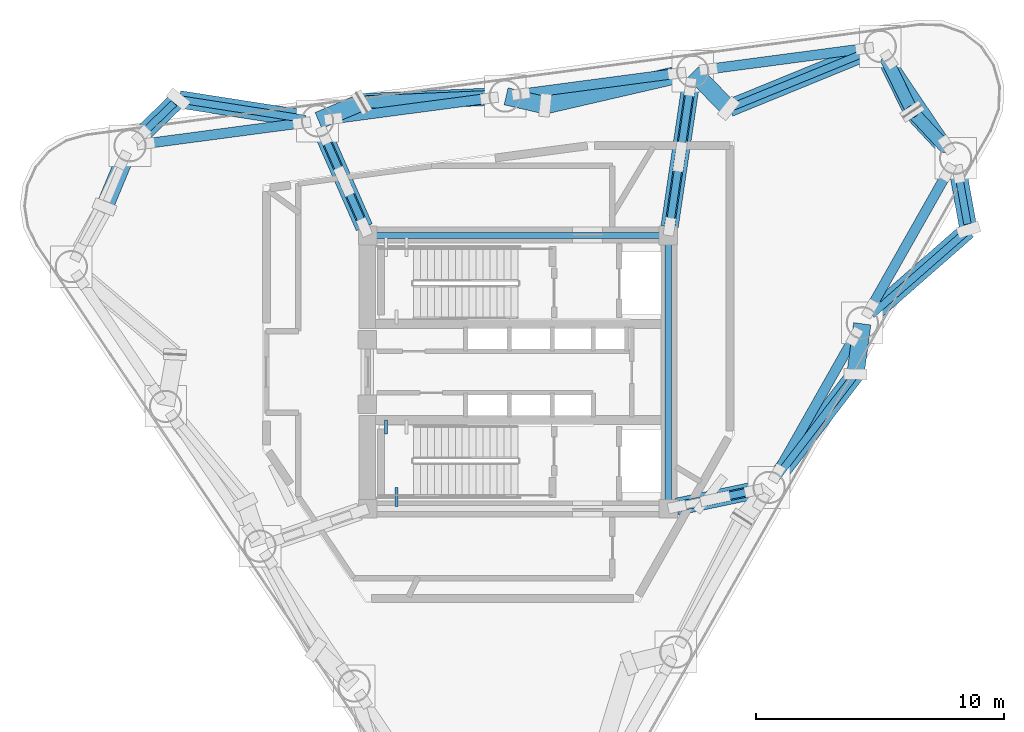
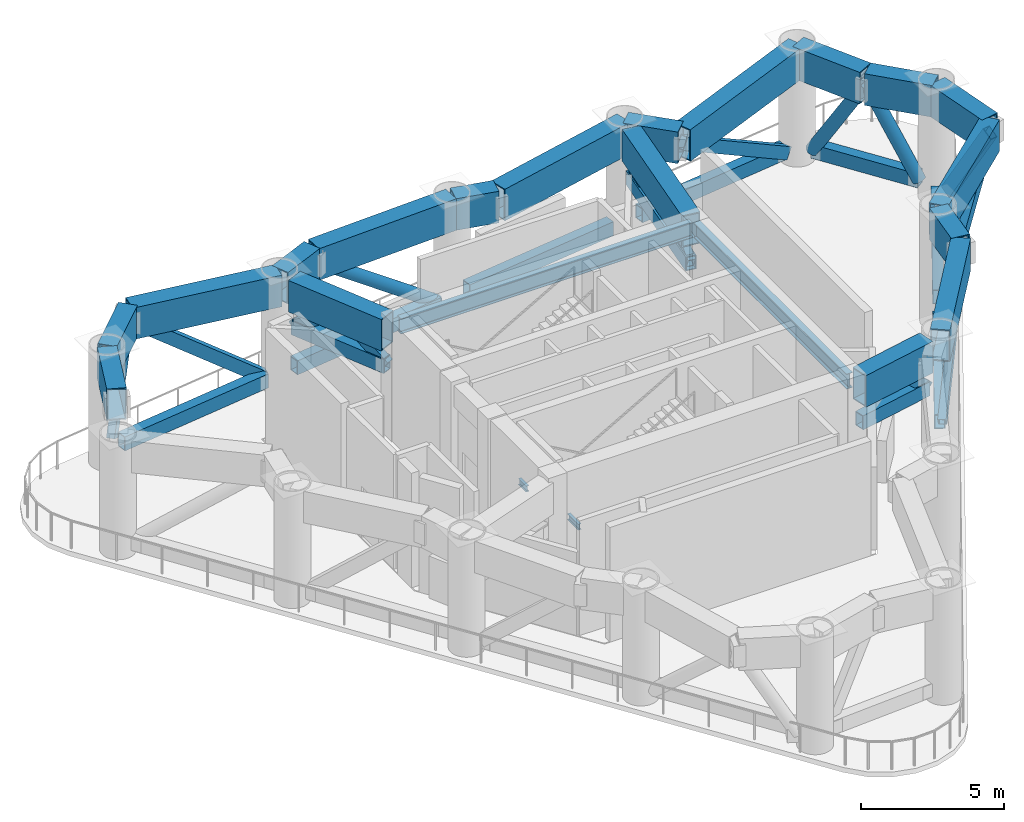
# One storey, part 2 of 10: 24 members, 22 beams.
"""IFC4 building model written with IfcOpenShell, lengths in metres."""

from ifc_helpers import new_model, si_unit, direction, frame, origin, origin_2d, place, context, subcontext, project, spatial, hollow_rectangle, hollow_circle, i_section, extrude, source, transform, mapped, material, material_profile, profile_set, type_object, element, save


model = new_model("IFC4")

# Units and contexts
model_context = context("Model", 3, precision=1e-05, world=origin(), true_north=direction((0.0, 1.0)))
body_context = subcontext(model_context, "Body", "Model", "MODEL_VIEW")
ifc_project = project(units=[si_unit("LENGTHUNIT", "METRE"), si_unit("AREAUNIT", "SQUARE_METRE"), si_unit("VOLUMEUNIT", "CUBIC_METRE"), si_unit("PLANEANGLEUNIT", "RADIAN"), si_unit("MASSUNIT", "GRAM", prefix="KILO")], contexts=[model_context])

# Site, building, storey
site_placement = place(None, origin())
site = spatial("IfcSite", under=ifc_project, at=site_placement, CompositionType="ELEMENT")
building_placement = place(site_placement, origin())
building = spatial("IfcBuilding", under=site, at=building_placement, Name="Yunling Apex Tower", CompositionType="ELEMENT")
storey_placement = place(building_placement, frame((0.0, 0.0, 186.35009765625)))
storey = spatial("IfcBuildingStorey", under=building, at=storey_placement, Name="RF5", CompositionType="ELEMENT", Elevation=186.35009765625)

# Beams
ifc_material_1 = material(Name="Steel Q355B", Category="steel")
ifc_material_profile_1 = material_profile(ifc_material_1, i_section(OverallWidth=0.125, OverallDepth=0.25, WebThickness=0.006103515625, FlangeThickness=0.009033203125, FilletRadius=0.011962890625, at=origin_2d()))
ifc_profile_set_1 = profile_set([ifc_material_profile_1], Name="Steel Q355B")
beam_type_1 = type_object("IfcBeamType", Name="BL-LNT-1", PredefinedType="LINTEL", material=ifc_profile_set_1)
shared_shape_1 = source(origin(), body_context, "Body", "SweptSolid", [
    extrude(i_section(OverallWidth=0.125, OverallDepth=0.25, WebThickness=0.006103515625, FlangeThickness=0.009033203125, FilletRadius=0.011962890625, at=origin_2d()), origin(), (0.0, 0.0, 1.0), 0.760009765625),
])
beam_1_placement = place(storey_placement, frame((-4.905029296875, -5.419921875, 2.22998046875), z_axis=(0.0, 1.0, 0.0), x_axis=(-1.0, 0.0, 0.0)))
element("IfcBeam", 1, at=beam_1_placement, inside=storey, type_object=beam_type_1, Name="RF5 ST-2 Landing Bearing Corbel 1-3", PredefinedType="LINTEL", context=body_context, shape_type="MappedRepresentation", body=[
    mapped(shared_shape_1, transform((0.0, 0.0, 0.0), scale=1.0)),
])
shared_shape_2 = source(origin(), body_context, "Body", "SweptSolid", [
    extrude(i_section(OverallWidth=0.125, OverallDepth=0.25, WebThickness=0.006103515625, FlangeThickness=0.009033203125, FilletRadius=0.011962890625, at=origin_2d()), origin(), (0.0, 0.0, 1.0), 0.550048828125),
])
beam_2_placement = place(storey_placement, frame((-5.320068359375, -1.93994140625, 2.22998046875), z_axis=(0.0, -1.0, 0.0), x_axis=(1.0, 0.0, 0.0)))
element("IfcBeam", 2, at=beam_2_placement, inside=storey, type_object=beam_type_1, Name="RF5 ST-2 Landing Bearing Corbel 1-1", PredefinedType="LINTEL", context=body_context, shape_type="MappedRepresentation", body=[
    mapped(shared_shape_2, transform((0.0, 0.0, 0.0), scale=1.0)),
])
ifc_material_profile_2 = material_profile(ifc_material_1, i_section(OverallWidth=0.25, OverallDepth=0.64990234375, WebThickness=0.011962890625, FlangeThickness=0.02001953125, FilletRadius=0.02392578125, at=origin_2d()))
ifc_profile_set_2 = profile_set([ifc_material_profile_2], Name="Steel Q355B")
beam_type_2 = type_object("IfcBeamType", Name="BG-PRI-4", PredefinedType="USERDEFINED", material=ifc_profile_set_2)
shared_shape_3 = source(origin(), body_context, "Body", "SweptSolid", [
    extrude(i_section(OverallWidth=0.25, OverallDepth=0.64990234375, WebThickness=0.011962890625, FlangeThickness=0.02001953125, FilletRadius=0.02392578125, at=origin_2d()), origin(), (0.0, 0.0, 1.0), 11.7998046875),
])
beam_3_placement = place(storey_placement, frame((5.89990234375, 5.5, 4.594970703125), z_axis=(-1.0, 0.0, 0.0), x_axis=(0.0, -1.0, 0.0)))
element("IfcBeam", 3, at=beam_3_placement, inside=storey, type_object=beam_type_2, Name="RF5 Core Ring Tie Beam 3", ObjectType="GIRDER", PredefinedType="USERDEFINED", context=body_context, shape_type="MappedRepresentation", body=[
    mapped(shared_shape_3, transform((0.0, 0.0, 0.0), scale=1.0)),
])
shared_shape_4 = source(origin(), body_context, "Body", "SweptSolid", [
    extrude(i_section(OverallWidth=0.25, OverallDepth=0.64990234375, WebThickness=0.011962890625, FlangeThickness=0.02001953125, FilletRadius=0.02392578125, at=origin_2d()), origin(), (0.0, 0.0, 1.0), 10.7001953125),
])
beam_4_placement = place(storey_placement, frame((6.050048828125, -5.35009765625, 4.594970703125), z_axis=(0.0, 1.0, 0.0), x_axis=(-1.0, 0.0, 0.0)))
element("IfcBeam", 4, at=beam_4_placement, inside=storey, type_object=beam_type_2, Name="RF5 Core Ring Tie Beam 2", ObjectType="GIRDER", PredefinedType="USERDEFINED", context=body_context, shape_type="MappedRepresentation", body=[
    mapped(shared_shape_4, transform((0.0, 0.0, 0.0), scale=1.0)),
])

# Members
ifc_material_profile_3 = material_profile(ifc_material_1, hollow_rectangle(XDim=0.39990234375, YDim=0.60009765625, WallThickness=0.030029296875, at=origin_2d()))
ifc_profile_set_3 = profile_set([ifc_material_profile_3], Name="Steel Q355B")
member_type_1 = type_object("IfcMemberType", Name="BT-CHD-2", PredefinedType="CHORD", material=ifc_profile_set_3)
shared_shape_5 = source(origin(), body_context, "Body", "SweptSolid", [
    extrude(hollow_rectangle(XDim=0.39990234375, YDim=0.60009765625, WallThickness=0.030029296875, at=origin_2d()), origin(), (0.0, 0.0, 1.0), 6.336669921875),
])
for number, where, z_axis, x_axis, name in (
    (5, (10.425537109375, -4.08935546875, 0.5498046875), (0.493044651429, 0.870004006713, 0.0), (-0.870004006713, 0.493044651429, 0.0), "RF5 Belt-Truss Bottom Chord 3"),
    (6, (14.182861328125, 2.54052734375, 0.5498046875), (0.492998962513, 0.87002989774, 0.0), (-0.87002989774, 0.492998962513, 0.0), "RF5 Belt-Truss Bottom Chord 4"),
    (7, (-1.158935546875, 11.02978515625, 0.5498046875), (-0.99135763998, -0.131187002609, 0.0), (0.131187002609, -0.99135763998, 0.0), "RF5 Belt-Truss Bottom Chord 8"),
):
    element("IfcMember", number, at=place(storey_placement, frame(where, z_axis=z_axis, x_axis=x_axis)), inside=storey, type_object=member_type_1, Name=name, PredefinedType="CHORD", context=body_context, shape_type="MappedRepresentation", body=[
        mapped(shared_shape_5, transform((0.0, 0.0, 0.0), scale=1.0)),
    ])
shared_shape_6 = source(origin(), body_context, "Body", "SweptSolid", [
    extrude(hollow_rectangle(XDim=0.39990234375, YDim=0.60009765625, WallThickness=0.030029296875, at=origin_2d()), origin(), (0.0, 0.0, 1.0), 4.146484375),
])
member_1_placement = place(storey_placement, frame((17.264404296875, 9.144287109375, 0.5498046875), z_axis=(-0.55918966931, 0.829039754015, 0.0), x_axis=(-0.829039754015, -0.55918966931, 0.0)))
element("IfcMember", 8, at=member_1_placement, inside=storey, type_object=member_type_1, Name="RF5 Belt-Truss Bottom Chord 5", PredefinedType="CHORD", context=body_context, shape_type="MappedRepresentation", body=[
    mapped(shared_shape_6, transform((0.0, 0.0, 0.0), scale=1.0)),
])
shared_shape_7 = source(origin(), body_context, "Body", "SweptSolid", [
    extrude(hollow_rectangle(XDim=0.39990234375, YDim=0.60009765625, WallThickness=0.030029296875, at=origin_2d()), origin(), (0.0, 0.0, 1.0), 6.33642578125),
])
for number, where, z_axis, x_axis, name in (
    (9, (13.950439453125, 13.02978515625, 0.5498046875), (-0.991351965142, -0.131229879257, 0.0), (0.131229879257, -0.991351965142, 0.0), "RF5 Belt-Truss Bottom Chord 6"),
    (10, (6.395751953125, 12.02978515625, 0.5498046875), (-0.991351965142, -0.131229879257, 0.0), (0.131229879257, -0.991351965142, 0.0), "RF5 Belt-Truss Bottom Chord 7"),
    (11, (-8.713623046875, 10.030029296875, 0.5498046875), (-0.991351965142, -0.131229879257, 0.0), (0.131229879257, -0.991351965142, 0.0), "RF5 Belt-Truss Bottom Chord 9"),
):
    element("IfcMember", number, at=place(storey_placement, frame(where, z_axis=z_axis, x_axis=x_axis)), inside=storey, type_object=member_type_1, Name=name, PredefinedType="CHORD", context=body_context, shape_type="MappedRepresentation", body=[
        mapped(shared_shape_7, transform((0.0, 0.0, 0.0), scale=1.0)),
    ])

# Beams
ifc_material_2 = material(Name="Steel Q390GJC", Category="steel")
ifc_material_profile_4 = material_profile(ifc_material_2, hollow_rectangle(XDim=0.699951171875, YDim=1.35009765625, WallThickness=0.044921875, at=origin_2d()))
ifc_profile_set_4 = profile_set([ifc_material_profile_4], Name="Steel Q390GJC")
beam_type_3 = type_object("IfcBeamType", Name="BTRNG-2", PredefinedType="USERDEFINED", material=ifc_profile_set_4)
shared_shape_8 = source(origin(), body_context, "Body", "SweptSolid", [
    extrude(hollow_rectangle(XDim=0.699951171875, YDim=1.35009765625, WallThickness=0.044921875, at=origin_2d()), origin(), (0.0, 0.0, 1.0), 5.654541015625),
])
beam_5_placement = place(storey_placement, frame((10.13330078125, -4.6162109375, 4.244873046875), z_axis=(0.606913107511, 0.794768192577, 0.0), x_axis=(-0.794768192577, 0.606913107511, 0.0)))
element("IfcBeam", 12, at=beam_5_placement, inside=storey, type_object=beam_type_3, Name="RF5 Panel-Split Box Ring Transfer Girder 13", ObjectType="GIRDER", PredefinedType="USERDEFINED", context=body_context, shape_type="MappedRepresentation", body=[
    mapped(shared_shape_8, transform((0.0, 0.0, 0.0), scale=1.0)),
])
shared_shape_9 = source(origin(), body_context, "Body", "SweptSolid", [
    extrude(hollow_rectangle(XDim=0.699951171875, YDim=1.35009765625, WallThickness=0.044921875, at=origin_2d()), origin(), (0.0, 0.0, 1.0), 2.010986328125),
])
beam_6_placement = place(storey_placement, frame((13.5947265625, -0.05078125, 4.244873046875), z_axis=(0.132457960435, 0.991188624187, 0.0), x_axis=(-0.991188624187, 0.132457960435, 0.0)))
element("IfcBeam", 13, at=beam_6_placement, inside=storey, type_object=beam_type_3, Name="RF5 Panel-Split Box Ring Transfer Girder 14", ObjectType="GIRDER", PredefinedType="USERDEFINED", context=body_context, shape_type="MappedRepresentation", body=[
    mapped(shared_shape_9, transform((0.0, 0.0, 0.0), scale=1.0)),
])
shared_shape_10 = source(origin(), body_context, "Body", "SweptSolid", [
    extrude(hollow_rectangle(XDim=0.699951171875, YDim=1.35009765625, WallThickness=0.044921875, at=origin_2d()), origin(), (0.0, 0.0, 1.0), 5.607421875),
])
beam_7_placement = place(storey_placement, frame((13.896484375, 2.008544921875, 4.244873046875), z_axis=(0.752096407422, 0.659053104038, 0.0), x_axis=(-0.659053104038, 0.752096407422, 0.0)))
element("IfcBeam", 14, at=beam_7_placement, inside=storey, type_object=beam_type_3, Name="RF5 Panel-Split Box Ring Transfer Girder 15", ObjectType="GIRDER", PredefinedType="USERDEFINED", context=body_context, shape_type="MappedRepresentation", body=[
    mapped(shared_shape_10, transform((0.0, 0.0, 0.0), scale=1.0)),
])
shared_shape_11 = source(origin(), body_context, "Body", "SweptSolid", [
    extrude(hollow_rectangle(XDim=0.699951171875, YDim=1.35009765625, WallThickness=0.044921875, at=origin_2d()), origin(), (0.0, 0.0, 1.0), 2.84814453125),
])
beam_8_placement = place(storey_placement, frame((18.13671875, 5.77001953125, 4.244873046875), z_axis=(-0.177700978295, 0.984084530065, 0.0), x_axis=(-0.984084530065, -0.177700978295, 0.0)))
element("IfcBeam", 15, at=beam_8_placement, inside=storey, type_object=beam_type_3, Name="RF5 Panel-Split Box Ring Transfer Girder 16", ObjectType="GIRDER", PredefinedType="USERDEFINED", context=body_context, shape_type="MappedRepresentation", body=[
    mapped(shared_shape_11, transform((0.0, 0.0, 0.0), scale=1.0)),
])
shared_shape_12 = source(origin(), body_context, "Body", "SweptSolid", [
    extrude(hollow_rectangle(XDim=0.699951171875, YDim=1.35009765625, WallThickness=0.044921875, at=origin_2d()), origin(), (0.0, 0.0, 1.0), 2.49072265625),
])
beam_9_placement = place(storey_placement, frame((17.59619140625, 8.641357421875, 4.244873046875), z_axis=(-0.681315322482, 0.731990048669, 0.0), x_axis=(-0.731990048669, -0.681315322482, 0.0)))
element("IfcBeam", 16, at=beam_9_placement, inside=storey, type_object=beam_type_3, Name="RF5 Panel-Split Box Ring Transfer Girder 17", ObjectType="GIRDER", PredefinedType="USERDEFINED", context=body_context, shape_type="MappedRepresentation", body=[
    mapped(shared_shape_12, transform((0.0, 0.0, 0.0), scale=1.0)),
])
shared_shape_13 = source(origin(), body_context, "Body", "SweptSolid", [
    extrude(hollow_rectangle(XDim=0.699951171875, YDim=1.35009765625, WallThickness=0.044921875, at=origin_2d()), origin(), (0.0, 0.0, 1.0), 2.83837890625),
])
beam_10_placement = place(storey_placement, frame((15.854248046875, 10.52978515625, 4.244873046875), z_axis=(-0.440319030957, 0.897841384086, 0.0), x_axis=(-0.897841384086, -0.440319030957, 0.0)))
element("IfcBeam", 17, at=beam_10_placement, inside=storey, type_object=beam_type_3, Name="RF5 Panel-Split Box Ring Transfer Girder 18", ObjectType="GIRDER", PredefinedType="USERDEFINED", context=body_context, shape_type="MappedRepresentation", body=[
    mapped(shared_shape_13, transform((0.0, 0.0, 0.0), scale=1.0)),
])
shared_shape_14 = source(origin(), body_context, "Body", "SweptSolid", [
    extrude(hollow_rectangle(XDim=0.699951171875, YDim=1.35009765625, WallThickness=0.044921875, at=origin_2d()), origin(), (0.0, 0.0, 1.0), 6.515625),
])
beam_11_placement = place(storey_placement, frame((14.5498046875, 13.098876953125, 4.244873046875), z_axis=(-0.925609613791, -0.378479646557, 0.0), x_axis=(0.378479646557, -0.925609613791, 0.0)))
element("IfcBeam", 18, at=beam_11_placement, inside=storey, type_object=beam_type_3, Name="RF5 Panel-Split Box Ring Transfer Girder 19", ObjectType="GIRDER", PredefinedType="USERDEFINED", context=body_context, shape_type="MappedRepresentation", body=[
    mapped(shared_shape_14, transform((0.0, 0.0, 0.0), scale=1.0)),
])
shared_shape_15 = source(origin(), body_context, "Body", "SweptSolid", [
    extrude(hollow_rectangle(XDim=0.699951171875, YDim=1.35009765625, WallThickness=0.044921875, at=origin_2d()), origin(), (0.0, 0.0, 1.0), 2.00341796875),
])
beam_12_placement = place(storey_placement, frame((8.4541015625, 10.646484375, 4.244873046875), z_axis=(-0.695807002465, 0.718228804296, 0.0), x_axis=(-0.718228804296, -0.695807002465, 0.0)))
element("IfcBeam", 19, at=beam_12_placement, inside=storey, type_object=beam_type_3, Name="RF5 Panel-Split Box Ring Transfer Girder 20", ObjectType="GIRDER", PredefinedType="USERDEFINED", context=body_context, shape_type="MappedRepresentation", body=[
    mapped(shared_shape_15, transform((0.0, 0.0, 0.0), scale=1.0)),
])
shared_shape_16 = source(origin(), body_context, "Body", "SweptSolid", [
    extrude(hollow_rectangle(XDim=0.699951171875, YDim=1.35009765625, WallThickness=0.044921875, at=origin_2d()), origin(), (0.0, 0.0, 1.0), 6.016357421875),
])
beam_13_placement = place(storey_placement, frame((6.9931640625, 12.10498046875, 4.244873046875), z_axis=(-0.974337823096, -0.225090662809, 0.0), x_axis=(0.225090662809, -0.974337823096, 0.0)))
element("IfcBeam", 20, at=beam_13_placement, inside=storey, type_object=beam_type_3, Name="RF5 Panel-Split Box Ring Transfer Girder 21", ObjectType="GIRDER", PredefinedType="USERDEFINED", context=body_context, shape_type="MappedRepresentation", body=[
    mapped(shared_shape_16, transform((0.0, 0.0, 0.0), scale=1.0)),
])
shared_shape_17 = source(origin(), body_context, "Body", "SweptSolid", [
    extrude(hollow_rectangle(XDim=0.699951171875, YDim=1.35009765625, WallThickness=0.044921875, at=origin_2d()), origin(), (0.0, 0.0, 1.0), 1.57666015625),
])
beam_14_placement = place(storey_placement, frame((1.052978515625, 10.750732421875, 4.244873046875), z_axis=(-0.974432934565, 0.224678561585, 0.0), x_axis=(-0.224678561585, -0.974432934565, 0.0)))
element("IfcBeam", 21, at=beam_14_placement, inside=storey, type_object=beam_type_3, Name="RF5 Panel-Split Box Ring Transfer Girder 22", ObjectType="GIRDER", PredefinedType="USERDEFINED", context=body_context, shape_type="MappedRepresentation", body=[
    mapped(shared_shape_17, transform((0.0, 0.0, 0.0), scale=1.0)),
])
shared_shape_18 = source(origin(), body_context, "Body", "SweptSolid", [
    extrude(hollow_rectangle(XDim=0.699951171875, YDim=1.35009765625, WallThickness=0.044921875, at=origin_2d()), origin(), (0.0, 0.0, 1.0), 5.70068359375),
])
beam_15_placement = place(storey_placement, frame((-0.5625, 11.1123046875, 4.244873046875), z_axis=(-0.999075132339, -0.042998603947, 0.0), x_axis=(0.042998603947, -0.999075132339, 0.0)))
element("IfcBeam", 22, at=beam_15_placement, inside=storey, type_object=beam_type_3, Name="RF5 Panel-Split Box Ring Transfer Girder 23", ObjectType="GIRDER", PredefinedType="USERDEFINED", context=body_context, shape_type="MappedRepresentation", body=[
    mapped(shared_shape_18, transform((0.0, 0.0, 0.0), scale=1.0)),
])
shared_shape_19 = source(origin(), body_context, "Body", "SweptSolid", [
    extrude(hollow_rectangle(XDim=0.699951171875, YDim=1.35009765625, WallThickness=0.044921875, at=origin_2d()), origin(), (0.0, 0.0, 1.0), 1.851318359375),
])
beam_16_placement = place(storey_placement, frame((-6.334716796875, 10.849853515625, 4.244873046875), z_axis=(-0.92128001258, -0.388899907973, 0.0), x_axis=(0.388899907973, -0.92128001258, 0.0)))
element("IfcBeam", 23, at=beam_16_placement, inside=storey, type_object=beam_type_3, Name="RF5 Panel-Split Box Ring Transfer Girder 24", ObjectType="GIRDER", PredefinedType="USERDEFINED", context=body_context, shape_type="MappedRepresentation", body=[
    mapped(shared_shape_19, transform((0.0, 0.0, 0.0), scale=1.0)),
])
shared_shape_20 = source(origin(), body_context, "Body", "SweptSolid", [
    extrude(hollow_rectangle(XDim=0.699951171875, YDim=1.35009765625, WallThickness=0.044921875, at=origin_2d()), origin(), (0.0, 0.0, 1.0), 5.598388671875),
])
beam_17_placement = place(storey_placement, frame((-8.11669921875, 10.120361328125, 4.244873046875), z_axis=(-0.988052947547, 0.154114804106, 0.0), x_axis=(-0.154114804106, -0.988052947547, 0.0)))
element("IfcBeam", 24, at=beam_17_placement, inside=storey, type_object=beam_type_3, Name="RF5 Panel-Split Box Ring Transfer Girder 25", ObjectType="GIRDER", PredefinedType="USERDEFINED", context=body_context, shape_type="MappedRepresentation", body=[
    mapped(shared_shape_20, transform((0.0, 0.0, 0.0), scale=1.0)),
])
shared_shape_21 = source(origin(), body_context, "Body", "SweptSolid", [
    extrude(hollow_rectangle(XDim=0.699951171875, YDim=1.35009765625, WallThickness=0.044921875, at=origin_2d()), origin(), (0.0, 0.0, 1.0), 2.62109375),
])
beam_18_placement = place(storey_placement, frame((-13.716552734375, 10.961669921875, 4.244873046875), z_axis=(-0.71975286522, -0.694230374593, 0.0), x_axis=(0.694230374593, -0.71975286522, 0.0)))
element("IfcBeam", 25, at=beam_18_placement, inside=storey, type_object=beam_type_3, Name="RF5 Panel-Split Box Ring Transfer Girder 26", ObjectType="GIRDER", PredefinedType="USERDEFINED", context=body_context, shape_type="MappedRepresentation", body=[
    mapped(shared_shape_21, transform((0.0, 0.0, 0.0), scale=1.0)),
])
shared_shape_22 = source(origin(), body_context, "Body", "SweptSolid", [
    extrude(hollow_rectangle(XDim=0.699951171875, YDim=1.35009765625, WallThickness=0.044921875, at=origin_2d()), origin(), (0.0, 0.0, 1.0), 2.59033203125),
])
beam_19_placement = place(storey_placement, frame((-15.647216796875, 9.077392578125, 4.244873046875), z_axis=(-0.38427403572, -0.923219077723, 0.0), x_axis=(0.923219077723, -0.38427403572, 0.0)))
element("IfcBeam", 26, at=beam_19_placement, inside=storey, type_object=beam_type_3, Name="RF5 Panel-Split Box Ring Transfer Girder 27", ObjectType="GIRDER", PredefinedType="USERDEFINED", context=body_context, shape_type="MappedRepresentation", body=[
    mapped(shared_shape_22, transform((0.0, 0.0, 0.0), scale=1.0)),
])

# Members
ifc_material_profile_5 = material_profile(ifc_material_1, hollow_rectangle(XDim=0.300048828125, YDim=0.5, WallThickness=0.02197265625, at=origin_2d()))
ifc_profile_set_5 = profile_set([ifc_material_profile_5], Name="Steel Q355B")
member_type_2 = type_object("IfcMemberType", Name="BR-BLT-2", PredefinedType="BRACE", material=ifc_profile_set_5)
shared_shape_23 = source(origin(), body_context, "Body", "SweptSolid", [
    extrude(hollow_rectangle(XDim=0.300048828125, YDim=0.5, WallThickness=0.02197265625, at=origin_2d()), origin(), (0.0, 0.0, 1.0), 6.27734375),
])
member_2_placement = place(storey_placement, frame((10.49755859375, -4.139404296875, 0.5498046875), z_axis=(0.490623268891, 0.642496742139, 0.588631246506), x_axis=(-0.7947741428, 0.606905315462, 0.0)))
element("IfcMember", 27, at=member_2_placement, inside=storey, type_object=member_type_2, Name="RF5 Belt-Truss Diagonal 4-1", PredefinedType="BRACE", context=body_context, shape_type="MappedRepresentation", body=[
    mapped(shared_shape_23, transform((0.0, 0.0, 0.0), scale=1.0)),
])
shared_shape_24 = source(origin(), body_context, "Body", "SweptSolid", [
    extrude(hollow_rectangle(XDim=0.300048828125, YDim=0.5, WallThickness=0.02197265625, at=origin_2d()), origin(), (0.0, 0.0, 1.0), 4.335693359375),
])
member_3_placement = place(storey_placement, frame((17.7373046875, 7.982421875, 0.5498046875), z_axis=(0.092910181269, -0.514835022633, 0.852239753642), x_axis=(0.984103279726, 0.177597113808, 0.0)))
element("IfcMember", 28, at=member_3_placement, inside=storey, type_object=member_type_2, Name="RF5 Belt-Truss Diagonal 5-1", PredefinedType="BRACE", context=body_context, shape_type="MappedRepresentation", body=[
    mapped(shared_shape_24, transform((0.0, 0.0, 0.0), scale=1.0)),
])
shared_shape_25 = source(origin(), body_context, "Body", "SweptSolid", [
    extrude(hollow_rectangle(XDim=0.300048828125, YDim=0.5, WallThickness=0.02197265625, at=origin_2d()), origin(), (0.0, 0.0, 1.0), 6.239501953125),
])
member_4_placement = place(storey_placement, frame((14.34765625, 2.40380859375, 0.5498046875), z_axis=(0.606024738494, 0.53105421945, 0.592212320319), x_axis=(-0.659054490627, 0.752095192369, 0.0)))
element("IfcMember", 29, at=member_4_placement, inside=storey, type_object=member_type_2, Name="RF5 Belt-Truss Diagonal 5-2", PredefinedType="BRACE", context=body_context, shape_type="MappedRepresentation", body=[
    mapped(shared_shape_25, transform((0.0, 0.0, 0.0), scale=1.0)),
])
ifc_material_profile_6 = material_profile(ifc_material_1, hollow_circle(Radius=0.25390625, WallThickness=0.02001953125, at=origin_2d()))
ifc_profile_set_6 = profile_set([ifc_material_profile_6], Name="Steel Q355B")
member_type_3 = type_object("IfcMemberType", Name="BR-PER-2", PredefinedType="BRACE", material=ifc_profile_set_6)
shared_shape_26 = source(origin(), body_context, "Body", "SweptSolid", [
    extrude(hollow_circle(Radius=0.25390625, WallThickness=0.02001953125, at=origin_2d()), origin(), (0.0, 0.0, 1.0), 4.159912109375),
])
member_5_placement = place(storey_placement, frame((17.1875, 9.08056640625, 0.5498046875), z_axis=(-0.312986216009, 0.33622689509, 0.888251711851), x_axis=(-0.731951098766, -0.681357166995, 0.0)))
element("IfcMember", 30, at=member_5_placement, inside=storey, type_object=member_type_3, Name="RF5 Belt-Truss Diagonal 6-1", PredefinedType="BRACE", context=body_context, shape_type="MappedRepresentation", body=[
    mapped(shared_shape_26, transform((0.0, 0.0, 0.0), scale=1.0)),
])
shared_shape_27 = source(origin(), body_context, "Body", "SweptSolid", [
    extrude(hollow_circle(Radius=0.25390625, WallThickness=0.02001953125, at=origin_2d()), origin(), (0.0, 0.0, 1.0), 4.330322265625),
])
member_6_placement = place(storey_placement, frame((14.86865234375, 12.539306640625, 0.5498046875), z_axis=(0.229628298931, -0.468164349207, 0.853283649475), x_axis=(0.897817640152, 0.440367443201, 0.0)))
element("IfcMember", 31, at=member_6_placement, inside=storey, type_object=member_type_3, Name="RF5 Belt-Truss Diagonal 6-2", PredefinedType="BRACE", context=body_context, shape_type="MappedRepresentation", body=[
    mapped(shared_shape_27, transform((0.0, 0.0, 0.0), scale=1.0)),
])
shared_shape_28 = source(origin(), body_context, "Body", "SweptSolid", [
    extrude(hollow_rectangle(XDim=0.300048828125, YDim=0.5, WallThickness=0.02197265625, at=origin_2d()), origin(), (0.0, 0.0, 1.0), 6.99169921875),
])
member_7_placement = place(storey_placement, frame((13.994384765625, 12.871826171875, 0.5498046875), z_axis=(-0.7857853606, -0.321290987996, 0.52850115241), x_axis=(0.378464667411, -0.925615738588, 0.0)))
element("IfcMember", 32, at=member_7_placement, inside=storey, type_object=member_type_2, Name="RF5 Belt-Truss Diagonal 7-1", PredefinedType="BRACE", context=body_context, shape_type="MappedRepresentation", body=[
    mapped(shared_shape_28, transform((0.0, 0.0, 0.0), scale=1.0)),
])
shared_shape_29 = source(origin(), body_context, "Body", "SweptSolid", [
    extrude(hollow_circle(Radius=0.25390625, WallThickness=0.02001953125, at=origin_2d()), origin(), (0.0, 0.0, 1.0), 6.314697265625),
])
member_8_placement = place(storey_placement, frame((-1.161865234375, 11.086669921875, 0.5498046875), z_axis=(-0.81017082763, -0.034873494943, 0.585155594187), x_axis=(0.043004797372, -0.999074865765, 0.0)))
element("IfcMember", 33, at=member_8_placement, inside=storey, type_object=member_type_3, Name="RF5 Belt-Truss Diagonal 9-1", PredefinedType="BRACE", context=body_context, shape_type="MappedRepresentation", body=[
    mapped(shared_shape_29, transform((0.0, 0.0, 0.0), scale=1.0)),
])
shared_shape_30 = source(origin(), body_context, "Body", "SweptSolid", [
    extrude(hollow_rectangle(XDim=0.300048828125, YDim=0.5, WallThickness=0.02197265625, at=origin_2d()), origin(), (0.0, 0.0, 1.0), 4.22119140625),
])
member_9_placement = place(storey_placement, frame((-15.171142578125, 9.55859375, 0.5498046875), z_axis=(0.347995995377, 0.335677041245, 0.875339768994), x_axis=(-0.694252884933, 0.719731152419, 0.0)))
element("IfcMember", 34, at=member_9_placement, inside=storey, type_object=member_type_2, Name="RF5 Belt-Truss Diagonal 10-1", PredefinedType="BRACE", context=body_context, shape_type="MappedRepresentation", body=[
    mapped(shared_shape_30, transform((0.0, 0.0, 0.0), scale=1.0)),
])
shared_shape_31 = source(origin(), body_context, "Body", "SweptSolid", [
    extrude(hollow_rectangle(XDim=0.300048828125, YDim=0.5, WallThickness=0.02197265625, at=origin_2d()), origin(), (0.0, 0.0, 1.0), 6.23193359375),
])
member_10_placement = place(storey_placement, frame((-8.709716796875, 10.212890625, 0.5498046875), z_axis=(-0.795630376211, 0.124110346735, 0.592932480376), x_axis=(-0.15412606111, -0.988051191633, 0.0)))
element("IfcMember", 35, at=member_10_placement, inside=storey, type_object=member_type_2, Name="RF5 Belt-Truss Diagonal 10-2", PredefinedType="BRACE", context=body_context, shape_type="MappedRepresentation", body=[
    mapped(shared_shape_31, transform((0.0, 0.0, 0.0), scale=1.0)),
])

# Beam
shared_shape_32 = source(origin(), body_context, "Body", "SweptSolid", [
    extrude(hollow_rectangle(XDim=0.699951171875, YDim=1.35009765625, WallThickness=0.044921875, at=origin_2d()), origin(), (0.0, 0.0, 1.0), 3.147705078125),
])
beam_20_placement = place(storey_placement, frame((6.40234375, -5.426025390625, 4.244873046875), z_axis=(0.978665662787, 0.205459291546, 0.0), x_axis=(-0.205459291546, 0.978665662787, 0.0)))
element("IfcBeam", 36, at=beam_20_placement, inside=storey, type_object=beam_type_3, Name="RF5 Radial Outrigger Top Girder 2", ObjectType="GIRDER", PredefinedType="USERDEFINED", context=body_context, shape_type="MappedRepresentation", body=[
    mapped(shared_shape_32, transform((0.0, 0.0, 0.0), scale=1.0)),
])

# Members
shared_shape_33 = source(origin(), body_context, "Body", "SweptSolid", [
    extrude(hollow_rectangle(XDim=0.39990234375, YDim=0.60009765625, WallThickness=0.030029296875, at=origin_2d()), origin(), (0.0, 0.0, 1.0), 3.147705078125),
])
member_11_placement = place(storey_placement, frame((6.40234375, -5.426025390625, 2.81982421875), z_axis=(0.978665662787, 0.205459291546, 0.0), x_axis=(-0.205459291546, 0.978665662787, 0.0)))
element("IfcMember", 37, at=member_11_placement, inside=storey, type_object=member_type_1, Name="RF5 Radial Outrigger Lower Chord 2", PredefinedType="CHORD", context=body_context, shape_type="MappedRepresentation", body=[
    mapped(shared_shape_33, transform((0.0, 0.0, 0.0), scale=1.0)),
])
ifc_material_profile_7 = material_profile(ifc_material_1, hollow_rectangle(XDim=0.300048828125, YDim=0.449951171875, WallThickness=0.02001953125, at=origin_2d()))
ifc_profile_set_7 = profile_set([ifc_material_profile_7], Name="Steel Q355B")
member_type_4 = type_object("IfcMemberType", Name="BR-OUT-2", PredefinedType="BRACE", material=ifc_profile_set_7)
shared_shape_34 = source(origin(), body_context, "Body", "SweptSolid", [
    extrude(hollow_rectangle(XDim=0.300048828125, YDim=0.449951171875, WallThickness=0.02001953125, at=origin_2d()), origin(), (0.0, 0.0, 1.0), 2.123291015625),
])
member_12_placement = place(storey_placement, frame((7.9423828125, -5.102783203125, 4.244873046875), z_axis=(0.725516031994, 0.152346868842, -0.671131074287), x_axis=(-0.205502379734, 0.97865661594, 0.0)))
element("IfcMember", 38, at=member_12_placement, inside=storey, type_object=member_type_4, Name="RF5 Outrigger Outer Diagonal 2B", PredefinedType="BRACE", context=body_context, shape_type="MappedRepresentation", body=[
    mapped(shared_shape_34, transform((0.0, 0.0, 0.0), scale=1.0)),
])

# Beam
shared_shape_35 = source(origin(), body_context, "Body", "SweptSolid", [
    extrude(hollow_rectangle(XDim=0.699951171875, YDim=1.35009765625, WallThickness=0.044921875, at=origin_2d()), origin(), (0.0, 0.0, 1.0), 5.6865234375),
])
beam_21_placement = place(storey_placement, frame((6.102783203125, 5.856201171875, 4.244873046875), z_axis=(0.146918975225, 0.989148530161, 0.0), x_axis=(-0.989148530161, 0.146918975225, 0.0)))
element("IfcBeam", 39, at=beam_21_placement, inside=storey, type_object=beam_type_3, Name="RF5 Radial Outrigger Top Girder 3", ObjectType="GIRDER", PredefinedType="USERDEFINED", context=body_context, shape_type="MappedRepresentation", body=[
    mapped(shared_shape_35, transform((0.0, 0.0, 0.0), scale=1.0)),
])

# Members
shared_shape_36 = source(origin(), body_context, "Body", "SweptSolid", [
    extrude(hollow_rectangle(XDim=0.39990234375, YDim=0.60009765625, WallThickness=0.030029296875, at=origin_2d()), origin(), (0.0, 0.0, 1.0), 5.6865234375),
])
member_13_placement = place(storey_placement, frame((6.102783203125, 5.856201171875, 2.81982421875), z_axis=(0.146918975225, 0.989148530161, 0.0), x_axis=(-0.989148530161, 0.146918975225, 0.0)))
element("IfcMember", 40, at=member_13_placement, inside=storey, type_object=member_type_1, Name="RF5 Radial Outrigger Lower Chord 3", PredefinedType="CHORD", context=body_context, shape_type="MappedRepresentation", body=[
    mapped(shared_shape_36, transform((0.0, 0.0, 0.0), scale=1.0)),
])
shared_shape_37 = source(origin(), body_context, "Body", "SweptSolid", [
    extrude(hollow_rectangle(XDim=0.300048828125, YDim=0.449951171875, WallThickness=0.02001953125, at=origin_2d()), origin(), (0.0, 0.0, 1.0), 3.18017578125),
])
member_14_placement = place(storey_placement, frame((6.102783203125, 5.856201171875, 2.81982421875), z_axis=(0.131349282871, 0.884285440904, 0.448092205795), x_axis=(-0.989147603371, 0.146925214807, 0.0)))
element("IfcMember", 41, at=member_14_placement, inside=storey, type_object=member_type_4, Name="RF5 Outrigger Inner Diagonal 3A", PredefinedType="BRACE", context=body_context, shape_type="MappedRepresentation", body=[
    mapped(shared_shape_37, transform((0.0, 0.0, 0.0), scale=1.0)),
])
shared_shape_38 = source(origin(), body_context, "Body", "SweptSolid", [
    extrude(hollow_rectangle(XDim=0.300048828125, YDim=0.449951171875, WallThickness=0.02001953125, at=origin_2d()), origin(), (0.0, 0.0, 1.0), 3.180419921875),
])
member_15_placement = place(storey_placement, frame((6.5205078125, 8.66845703125, 4.244873046875), z_axis=(0.13134036682, 0.88430217754, -0.448061789089), x_axis=(-0.989149456832, 0.146912736167, 0.0)))
element("IfcMember", 42, at=member_15_placement, inside=storey, type_object=member_type_4, Name="RF5 Outrigger Outer Diagonal 3B", PredefinedType="BRACE", context=body_context, shape_type="MappedRepresentation", body=[
    mapped(shared_shape_38, transform((0.0, 0.0, 0.0), scale=1.0)),
])

# Beam
shared_shape_39 = source(origin(), body_context, "Body", "SweptSolid", [
    extrude(hollow_rectangle(XDim=0.699951171875, YDim=1.35009765625, WallThickness=0.044921875, at=origin_2d()), origin(), (0.0, 0.0, 1.0), 4.0400390625),
])
beam_22_placement = place(storey_placement, frame((-6.19482421875, 5.82958984375, 4.244873046875), z_axis=(-0.402232256333, 0.915537662778, 0.0), x_axis=(-0.915537662778, -0.402232256333, 0.0)))
element("IfcBeam", 43, at=beam_22_placement, inside=storey, type_object=beam_type_3, Name="RF5 Radial Outrigger Top Girder 4", ObjectType="GIRDER", PredefinedType="USERDEFINED", context=body_context, shape_type="MappedRepresentation", body=[
    mapped(shared_shape_39, transform((0.0, 0.0, 0.0), scale=1.0)),
])

# Members
shared_shape_40 = source(origin(), body_context, "Body", "SweptSolid", [
    extrude(hollow_rectangle(XDim=0.39990234375, YDim=0.60009765625, WallThickness=0.030029296875, at=origin_2d()), origin(), (0.0, 0.0, 1.0), 4.0400390625),
])
member_16_placement = place(storey_placement, frame((-6.19482421875, 5.82958984375, 2.81982421875), z_axis=(-0.402232256333, 0.915537662778, 0.0), x_axis=(-0.915537662778, -0.402232256333, 0.0)))
element("IfcMember", 44, at=member_16_placement, inside=storey, type_object=member_type_1, Name="RF5 Radial Outrigger Lower Chord 4", PredefinedType="CHORD", context=body_context, shape_type="MappedRepresentation", body=[
    mapped(shared_shape_40, transform((0.0, 0.0, 0.0), scale=1.0)),
])
shared_shape_41 = source(origin(), body_context, "Body", "SweptSolid", [
    extrude(hollow_rectangle(XDim=0.300048828125, YDim=0.449951171875, WallThickness=0.02001953125, at=origin_2d()), origin(), (0.0, 0.0, 1.0), 2.47216796875),
])
for number, where, z_axis, x_axis, name in (
    (45, (-6.19482421875, 5.82958984375, 2.81982421875), (-0.328673479796, 0.748107454763, 0.576462470423), (-0.915537662778, -0.402232256333, 0.0), "RF5 Outrigger Inner Diagonal 4A"),
    (46, (-7.00732421875, 7.678955078125, 4.244873046875), (-0.328673479796, 0.748107454763, -0.576462470423), (-0.915537662778, -0.402232256333, 0.0), "RF5 Outrigger Outer Diagonal 4B"),
):
    element("IfcMember", number, at=place(storey_placement, frame(where, z_axis=z_axis, x_axis=x_axis)), inside=storey, type_object=member_type_4, Name=name, PredefinedType="BRACE", context=body_context, shape_type="MappedRepresentation", body=[
        mapped(shared_shape_41, transform((0.0, 0.0, 0.0), scale=1.0)),
    ])

save(model, "model.ifc")
